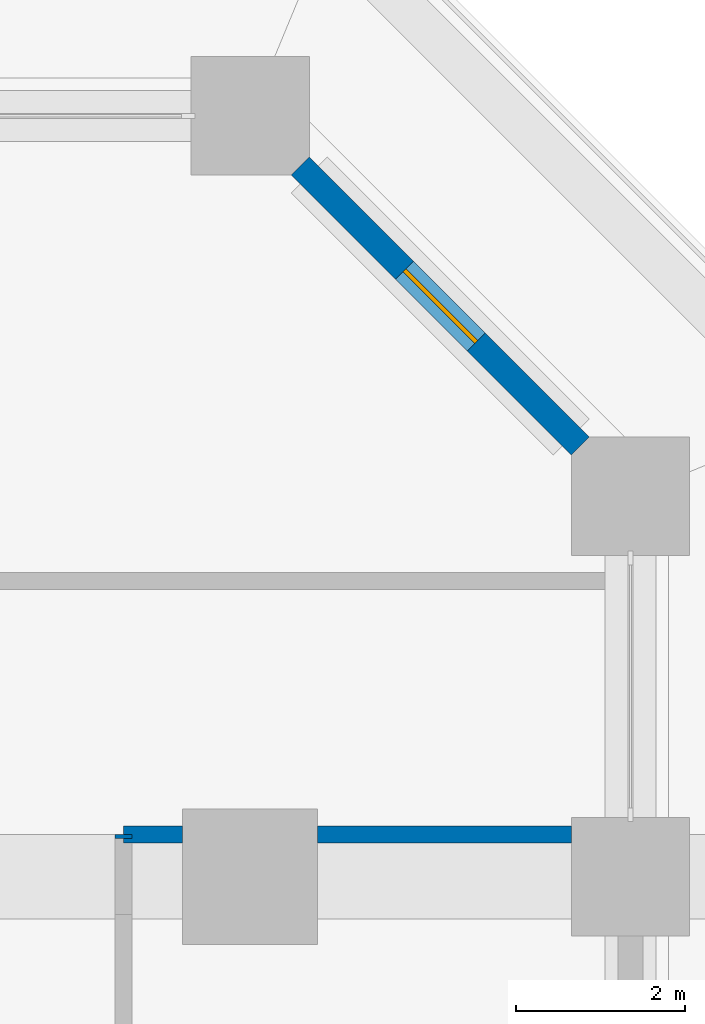
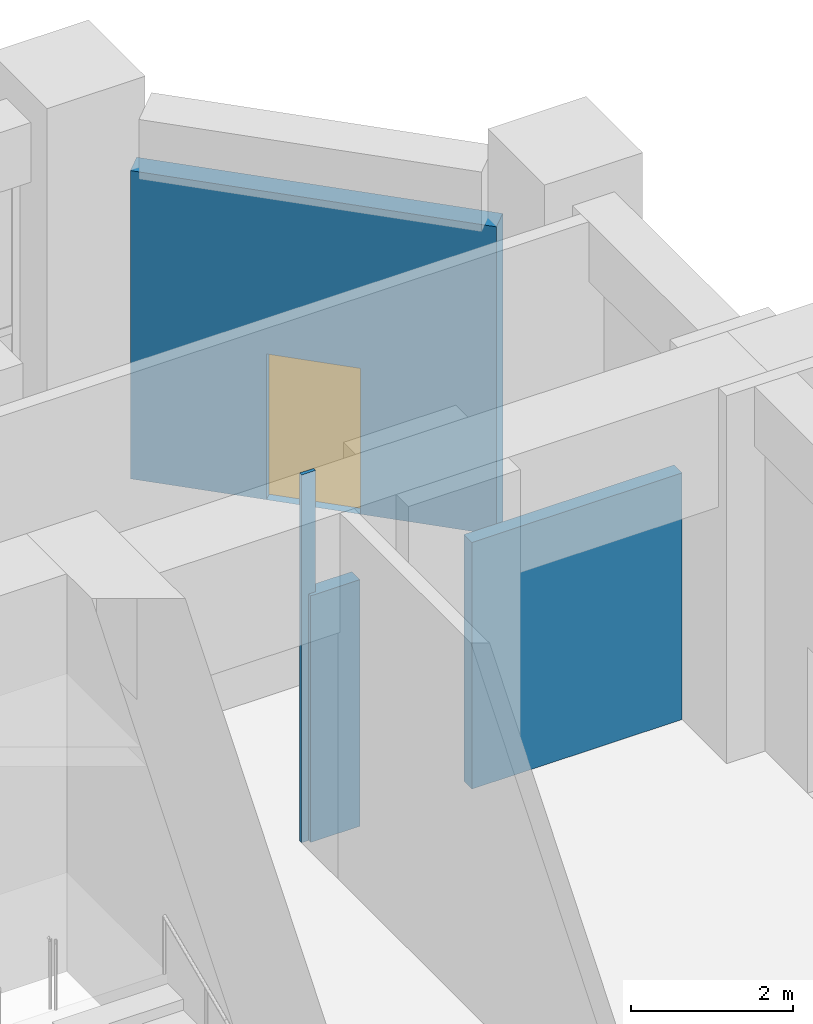
# One storey, part 16 of 21: 4 walls, 1 door, 1 opening.
"""IFC4 building model written with IfcOpenShell, lengths in metres."""

import ifcopenshell
import ifcopenshell.guid

model = None  # the IFC model being written
_history = None  # IfcOwnerHistory: only IFC2X3 demands one
_inside = {}  # id of a spatial element -> (the spatial element, [elements in it])
_under = {}  # id of a project, library or spatial element -> (it, [spatial elements below it])
_declared = {}  # id of a project -> (the project, [libraries it declares])
_typed = {}  # id of a type object -> (the type object, [elements of that type])
_made_of = {}  # id of a material, layer set ... -> (it, [elements and type objects made of it])


def new_model(schema):
    """Start an empty IFC model of exactly this schema.

    Asked for "IFC4X3", IfcOpenShell would pick the latest addendum, in which some entities
    have other attributes; the version numbers below select the first issue.
    IFC2X3 requires an IfcOwnerHistory on every rooted entity: one is made here for all.
    """
    global model, _history
    if schema == "IFC4X3":
        model = ifcopenshell.file(schema_version=(4, 3, 0, 0))
    else:
        model = ifcopenshell.file(schema=schema)
    _inside.clear()
    _under.clear()
    _declared.clear()
    _typed.clear()
    _made_of.clear()
    _history = None
    if model.schema == "IFC2X3":
        org = make("IfcOrganization", Name="unknown")
        user = make(
            "IfcPersonAndOrganization",
            ThePerson=make("IfcPerson", FamilyName="unknown"),
            TheOrganization=org,
        )
        app = make(
            "IfcApplication",
            ApplicationDeveloper=org,
            Version="unknown",
            ApplicationFullName="unknown",
            ApplicationIdentifier="unknown",
        )
        _history = make(
            "IfcOwnerHistory",
            OwningUser=user,
            OwningApplication=app,
            ChangeAction="ADDED",
            CreationDate=0,
        )
    return model


def make(cls, **values):
    """One entity of the class cls with the attributes given. An attribute that is None is left unset."""
    return model.create_entity(
        cls, **{name: value for name, value in values.items() if value is not None}
    )


def rooted(cls, **values):
    """An entity with a GlobalId (a new one), such as an element, a storey or a relation."""
    return make(cls, GlobalId=ifcopenshell.guid.new(), OwnerHistory=_history, **values)


def si_unit(unit_type, name, prefix=None):
    """IfcSIUnit, for example si_unit("LENGTHUNIT", "METRE", prefix="MILLI")."""
    return make("IfcSIUnit", UnitType=unit_type, Prefix=prefix, Name=name)


def assignment(units):
    """IfcUnitAssignment: the units of a project."""
    return None if units is None else make("IfcUnitAssignment", Units=units)


def point(xyz):
    """IfcCartesianPoint."""
    return None if xyz is None else make("IfcCartesianPoint", Coordinates=xyz)


def direction(xyz):
    """IfcDirection."""
    return None if xyz is None else make("IfcDirection", DirectionRatios=xyz)


def frame(location, z_axis=None, x_axis=None):
    """IfcAxis2Placement3D, a coordinate frame: its origin and axes. An axis left out is left unset."""
    return make(
        "IfcAxis2Placement3D",
        Location=point(location),
        Axis=direction(z_axis),
        RefDirection=direction(x_axis),
    )


def frame_2d(location, x_axis=None):
    """IfcAxis2Placement2D, a coordinate frame in the plane: its origin and x axis."""
    return make(
        "IfcAxis2Placement2D", Location=point(location), RefDirection=direction(x_axis)
    )


def origin():
    """The frame at (0, 0, 0) with its axes left unset."""
    return frame((0.0, 0.0, 0.0))


def place(relative_to, where):
    """IfcLocalPlacement: puts the frame where relative to a parent placement (None: the world)."""
    return make(
        "IfcLocalPlacement", PlacementRelTo=relative_to, RelativePlacement=where
    )


def context(
    kind, dimensions, precision=None, world=None, true_north=None, identifier=None
):
    """IfcGeometricRepresentationContext, for example the 3D "Model" context."""
    return make(
        "IfcGeometricRepresentationContext",
        ContextIdentifier=identifier,
        ContextType=kind,
        CoordinateSpaceDimension=dimensions,
        Precision=precision,
        WorldCoordinateSystem=world,
        TrueNorth=true_north,
    )


def subcontext(parent, identifier, kind, view, scale=None):
    """IfcGeometricRepresentationSubContext, for example "Body" below "Model"."""
    return make(
        "IfcGeometricRepresentationSubContext",
        ContextIdentifier=identifier,
        ContextType=kind,
        ParentContext=parent,
        TargetScale=scale,
        TargetView=view,
    )


def project(units=None, contexts=None):
    """IfcProject with its units and contexts."""
    return rooted(
        "IfcProject",
        Name="project",
        RepresentationContexts=contexts,
        UnitsInContext=assignment(units),
    )


def spatial(cls, under=None, at=None, **own):
    """A site, building, storey or space (cls), placed at a placement, below another one or the project."""
    s = rooted(cls, ObjectPlacement=at, **own)
    if under is not None:
        _under.setdefault(under.id(), (under, []))[1].append(s)
    return s


def profile(cls, at=None, kind="AREA", **sizes):
    """A parametric profile (cls). Its sizes go by their IFC names, for example OverallWidth=200.0."""
    return make(cls, ProfileType=kind, Position=at, **sizes)


def rectangle(**sizes):
    """IfcRectangleProfileDef."""
    return profile("IfcRectangleProfileDef", **sizes)


def extrude(swept, where, along, depth):
    """IfcExtrudedAreaSolid: the profile swept, set in the frame where, extruded along a direction by depth."""
    return make(
        "IfcExtrudedAreaSolid",
        SweptArea=swept,
        Position=where,
        ExtrudedDirection=direction(along),
        Depth=depth,
    )


def shape(context_of_items, identifier, shape_type, items):
    """IfcShapeRepresentation: the items that make up one representation, for example the "Body"."""
    return make(
        "IfcShapeRepresentation",
        ContextOfItems=context_of_items,
        RepresentationIdentifier=identifier,
        RepresentationType=shape_type,
        Items=items,
    )


def material(Name=None, Category=None):
    """IfcMaterial."""
    return make("IfcMaterial", Name=Name, Category=Category)


def layer(
    of_material, thickness, ventilated=None, Name=None, Category=None, Priority=None
):
    """IfcMaterialLayer: one layer of a wall or slab, of a material (None: an air gap)."""
    return make(
        "IfcMaterialLayer",
        Material=of_material,
        LayerThickness=thickness,
        IsVentilated=ventilated,
        Name=Name,
        Category=Category,
        Priority=Priority,
    )


def layer_set(layers, Name=None):
    """IfcMaterialLayerSet."""
    return make("IfcMaterialLayerSet", MaterialLayers=layers, LayerSetName=Name)


def made_of(thing, what):
    """Note that an element or type object is made of a material, layer set ...; save() writes the relation."""
    if what is not None:
        _made_of.setdefault(what.id(), (what, []))[1].append(thing)
    return thing


def type_object(cls, material=None, **own):
    """A type object (cls), such as IfcWallType, which elements share."""
    return made_of(rooted(cls, **own), material)


def element(
    cls,
    number,
    at=None,
    inside=None,
    cuts=None,
    type_object=None,
    material=None,
    context=None,
    identifier="Body",
    shape_type=None,
    held_by="IfcProductDefinitionShape",
    body=None,
    shapes=None,
    **own,
):
    """One element of the class cls, such as IfcWall. Its Tag is "e" and its number.

    at: its placement. inside: the storey or other place that contains it. cuts: it is an
    opening in that element (IfcRelVoidsElement). A single representation is given by context,
    identifier, shape_type and body (its items); several are given by shapes. held_by: the class
    of the entity that holds the representations. save() writes the other relations.
    """
    e = rooted(cls, Tag="e%d" % number, ObjectPlacement=at, **own)
    if body is not None:
        shapes = [shape(context, identifier, shape_type, body)]
    if shapes is not None:
        e.Representation = make(held_by, Representations=shapes)
    if inside is not None:
        _inside.setdefault(inside.id(), (inside, []))[1].append(e)
    if cuts is not None:
        rooted(
            "IfcRelVoidsElement", RelatingBuildingElement=cuts, RelatedOpeningElement=e
        )
    if type_object is not None:
        _typed.setdefault(type_object.id(), (type_object, []))[1].append(e)
    return made_of(e, material)


def fill(opening, filler):
    """IfcRelFillsElement: the door or window that sits in an opening."""
    return rooted(
        "IfcRelFillsElement",
        RelatingOpeningElement=opening,
        RelatedBuildingElement=filler,
    )


def aggregate(whole, parts):
    """IfcRelAggregates: a whole, such as a stair, and the parts it consists of."""
    return rooted("IfcRelAggregates", RelatingObject=whole, RelatedObjects=parts)


def save(model, path):
    """Write the relations noted so far, then the file.

    IfcRelAggregates (storeys below a building ...), IfcRelContainedInSpatialStructure (elements
    in a storey), IfcRelDefinesByType, IfcRelAssociatesMaterial and IfcRelDeclares: one each for
    every whole, place, type object, material and project.
    """
    for whole, parts in _under.values():
        aggregate(whole, parts)
    for where, things in _inside.values():
        rooted(
            "IfcRelContainedInSpatialStructure",
            RelatedElements=things,
            RelatingStructure=where,
        )
    for kind, things in _typed.values():
        rooted("IfcRelDefinesByType", RelatedObjects=things, RelatingType=kind)
    for what, things in _made_of.values():
        rooted("IfcRelAssociatesMaterial", RelatedObjects=things, RelatingMaterial=what)
    for by, libraries in _declared.values():
        rooted("IfcRelDeclares", RelatingContext=by, RelatedDefinitions=libraries)
    model.write(path)


model = new_model("IFC4")

# Units and contexts
model_context = context("Model", 3, precision=1e-05, world=origin(), true_north=direction((0.0, 1.0)))
body_context = subcontext(model_context, "Body", "Model", "MODEL_VIEW")
ifc_project = project(units=[si_unit("LENGTHUNIT", "METRE"), si_unit("AREAUNIT", "SQUARE_METRE"), si_unit("VOLUMEUNIT", "CUBIC_METRE"), si_unit("PLANEANGLEUNIT", "RADIAN"), si_unit("MASSUNIT", "GRAM", prefix="KILO")], contexts=[model_context])

# Site, building, storey
site_placement = place(None, origin())
site = spatial("IfcSite", under=ifc_project, at=site_placement, CompositionType="ELEMENT")
building_placement = place(site_placement, origin())
building = spatial("IfcBuilding", under=site, at=building_placement, Name="Corbel Stack Research Tower", CompositionType="ELEMENT")
storey_placement = place(building_placement, frame((0.0, 0.0, 35.89990234375)))
storey = spatial("IfcBuildingStorey", under=building, at=storey_placement, Name="L08", CompositionType="ELEMENT", Elevation=35.89990234375)

# Walls
ifc_material_1 = material(Name="Fire-rated gypsum board partition on steel studs", Category="steel")
ifc_layer_1 = layer(ifc_material_1, 0.199951171875)
ifc_layer_set_1 = layer_set([ifc_layer_1], Name="Fire-rated gypsum board partition on steel studs")
wall_type_1 = type_object("IfcWallType", Name="Fire-rated partition 200 EI 60", PredefinedType="PARTITIONING", material=ifc_layer_set_1)
wall_1_placement = place(storey_placement, frame((21.0, 18.449951171875, 0.0), z_axis=(0.0, 0.0, 1.0), x_axis=(0.0, 1.0, 0.0)))
element("IfcWall", 1, at=wall_1_placement, inside=storey, type_object=wall_type_1, Name="Partition L08-012", PredefinedType="PARTITIONING", context=body_context, shape_type="SweptSolid", body=[
    extrude(rectangle(XDim=0.050048828125, YDim=0.199951171875, at=frame_2d((0.02490234375, 0.0))), origin(), (0.0, 0.0, 1.0), 5.550048828125),
])
wall_2_placement = place(storey_placement, frame((21.0, 18.5, 0.0), z_axis=(0.0, 0.0, 1.0), x_axis=(1.0, 0.0, 0.0)))
element("IfcWall", 2, at=wall_2_placement, inside=storey, type_object=wall_type_1, Name="Partition L08-024", PredefinedType="PARTITIONING", context=body_context, shape_type="SweptSolid", body=[
    extrude(rectangle(XDim=0.699951171875, YDim=0.199951171875, at=frame_2d((0.35009765625, 0.0))), origin(), (0.0, 0.0, 1.0), 3.72021484375),
])
wall_3_placement = place(storey_placement, frame((23.300048828125, 18.5, 0.0), z_axis=(0.0, 0.0, 1.0), x_axis=(1.0, 0.0, 0.0)))
element("IfcWall", 3, at=wall_3_placement, inside=storey, type_object=wall_type_1, Name="Partition L08-025", PredefinedType="PARTITIONING", context=body_context, shape_type="SweptSolid", body=[
    extrude(rectangle(XDim=3.0, YDim=0.199951171875, at=frame_2d((1.5, 0.0))), origin(), (0.0, 0.0, 1.0), 3.72021484375),
])

# Wall, opening, door
ifc_material_2 = material(Name="Concrete C45/55", Category="concrete")
ifc_layer_2 = layer(ifc_material_2, 0.300048828125)
ifc_layer_set_2 = layer_set([ifc_layer_2], Name="Concrete C45/55")
wall_type_2 = type_object("IfcWallType", Name="Terracotta-faced concrete wall 300", PredefinedType="SOLIDWALL", material=ifc_layer_set_2)
wall_4_placement = place(storey_placement, frame((23.093994140625, 26.406005859375, 0.0), z_axis=(0.0, 0.0, 1.0), x_axis=(0.707106781187, -0.707106781187, 0.0)))
wall_4 = element("IfcWall", 4, at=wall_4_placement, inside=storey, type_object=wall_type_2, Name="Facade wall L08 NE01", PredefinedType="SOLIDWALL", context=body_context, shape_type="SweptSolid", body=[
    extrude(rectangle(XDim=4.683837890625, YDim=0.300048828125, at=frame_2d((2.341796875, 0.0))), origin(), (0.0, 0.0, 1.0), 4.650146484375),
])
opening_placement = place(wall_4_placement, frame((1.741943359375, 0.0, 0.0)))
opening = element("IfcOpeningElement", 5, at=opening_placement, cuts=wall_4, Name="Opening L08-B06", PredefinedType="OPENING", context=body_context, shape_type="SweptSolid", body=[
    extrude(rectangle(XDim=1.199951171875, YDim=2.199951171875, at=frame_2d((0.60009765625, 1.10009765625))), frame((0.0, 0.159912109375, 0.0), z_axis=(0.0, -1.0, 0.0), x_axis=(1.0, 0.0, 0.0)), (0.0, 0.0, 1.0), 0.320068359375),
])
ifc_material_3 = material(Name="Aluminium frame, clear double glazing", Category="aluminium")
door_type = type_object("IfcDoorType", Name="Balcony door BD2 1200 x 2200", OperationType="NOTDEFINED", PredefinedType="DOOR", material=ifc_material_3)
door_placement = place(opening_placement, origin())
door = element("IfcDoor", 6, at=door_placement, inside=storey, type_object=door_type, Name="Balcony door L08-B06", OperationType="SINGLE_SWING_LEFT", OverallHeight=2.199951171875, OverallWidth=1.199951171875, PredefinedType="DOOR", context=body_context, shape_type="SweptSolid", body=[
    extrude(rectangle(XDim=1.199951171875, YDim=2.199951171875, at=frame_2d((0.60009765625, 1.10009765625))), frame((0.0, 0.02490234375, 0.0), z_axis=(0.0, -1.0, 0.0), x_axis=(1.0, 0.0, 0.0)), (0.0, 0.0, 1.0), 0.050048828125),
])
fill(opening, door)

save(model, "model.ifc")
